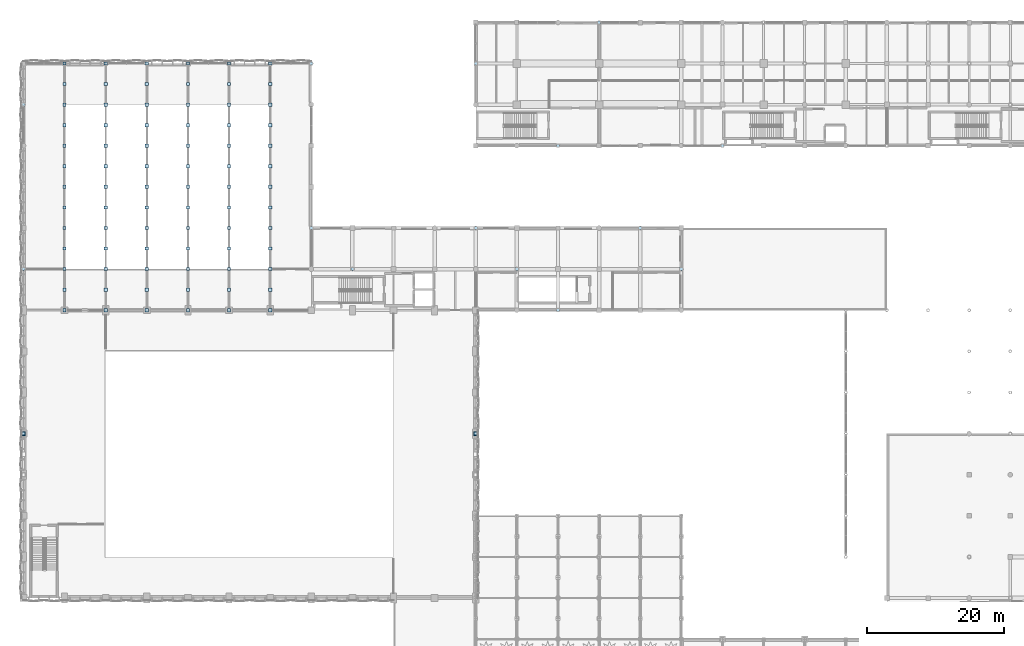
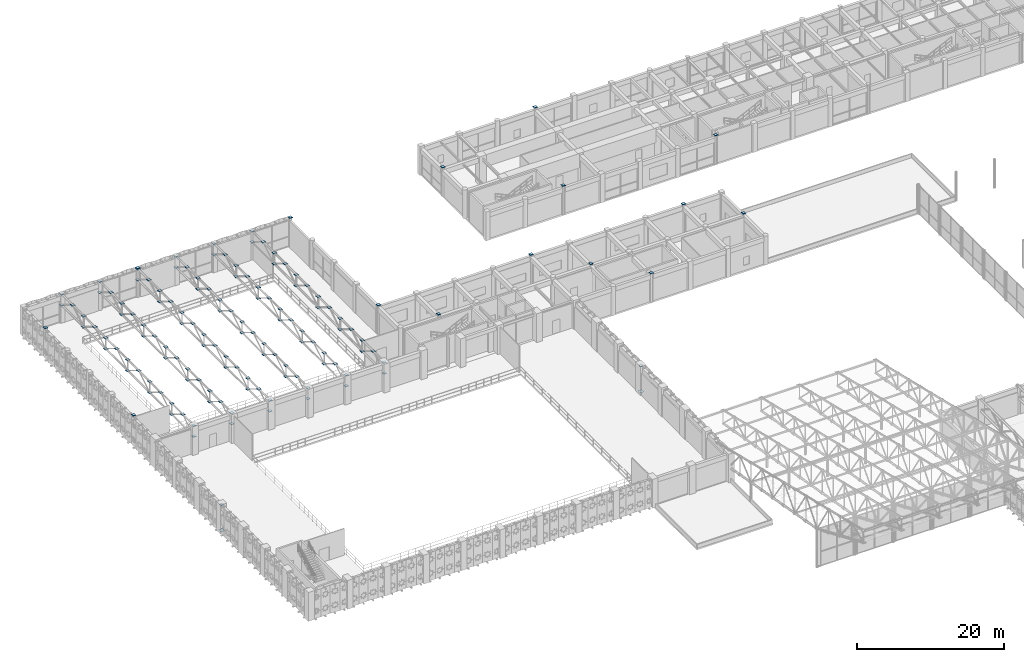
# One storey, part 93 of 123: 139 plates.
"""IFC4 building model written with IfcOpenShell, lengths in metres."""

from ifc_helpers import new_model, si_unit, direction, frame, origin, origin_2d, place, context, subcontext, project, spatial, rectangle, extrude, material, layer, layer_set, type_object, element, save


model = new_model("IFC4")

# Units and contexts
model_context = context("Model", 3, precision=1e-05, world=origin(), true_north=direction((0.0, 1.0)))
body_context = subcontext(model_context, "Body", "Model", "MODEL_VIEW")
ifc_project = project(units=[si_unit("LENGTHUNIT", "METRE"), si_unit("AREAUNIT", "SQUARE_METRE"), si_unit("VOLUMEUNIT", "CUBIC_METRE"), si_unit("PLANEANGLEUNIT", "RADIAN"), si_unit("MASSUNIT", "GRAM", prefix="KILO"), si_unit("THERMODYNAMICTEMPERATUREUNIT", "KELVIN"), si_unit("POWERUNIT", "WATT")], contexts=[model_context])

# Site, building, storey
site_placement = place(None, origin())
site = spatial("IfcSite", under=ifc_project, at=site_placement, CompositionType="ELEMENT")
building_placement = place(site_placement, origin())
building = spatial("IfcBuilding", under=site, at=building_placement, Name="Phaisarnlok Congress Hotel", CompositionType="ELEMENT")
storey_placement = place(building_placement, frame((0.0, 0.0, 15.0)))
storey = spatial("IfcBuildingStorey", under=building, at=storey_placement, Name="L03", CompositionType="ELEMENT", Elevation=15.0)

# Plates
ifc_material = material(Name="Steel S355", Category="steel")
ifc_layer_1 = layer(ifc_material, 0.0400390625, Name="Steel S355")
ifc_layer_set_1 = layer_set([ifc_layer_1], Name="Steel S355")
plate_type_1 = type_object("IfcPlateType", Name="PLT-CAP-480", PredefinedType="SHEET", material=ifc_layer_set_1)
for number, where, z_axis, x_axis, name in (
    (1, (0.0, 90.0, 4.780029296875), (0.0, 0.0, 1.0), (1.0, 0.0, 0.0), "Steel column cap/base plate NP-04 at NP-COLT-COL-L03-000-090"),
    (2, (0.0, 114.0, 4.780029296875), (0.0, 0.0, 1.0), (1.0, 0.0, 0.0), "Steel column cap/base plate NP-04 at NP-COLT-COL-L03-000-114"),
    (3, (18.0, 120.0, 4.780029296875), (0.0, 0.0, 1.0), (1.0, 0.0, 0.0), "Steel column cap/base plate NP-04 at NP-COLT-COL-L03-018-120"),
    (4, (42.0, 96.0, 4.780029296875), (0.0, 0.0, 1.0), (1.0, 0.0, 0.0), "Steel column cap/base plate NP-04 at NP-COLT-COL-L03-042-096"),
    (5, (42.0, 120.0, 4.780029296875), (0.0, 0.0, 1.0), (1.0, 0.0, 0.0), "Steel column cap/base plate NP-04 at NP-COLT-COL-L03-042-120"),
    (6, (48.0, 90.0, 4.780029296875), (0.0, 0.0, 1.0), (1.0, 0.0, 0.0), "Steel column cap/base plate NP-04 at NP-COLT-COL-L03-048-090"),
    (7, (66.0, 96.0, 4.780029296875), (0.0, 0.0, 1.0), (1.0, 0.0, 0.0), "Steel column cap/base plate NP-04 at NP-COLT-COL-L03-066-096"),
    (8, (66.0, 120.0, 4.780029296875), (0.0, 0.0, 1.0), (1.0, 0.0, 0.0), "Steel column cap/base plate NP-04 at NP-COLT-COL-L03-066-120"),
    (9, (72.0, 90.0, 4.780029296875), (0.0, 0.0, 1.0), (1.0, 0.0, 0.0), "Steel column cap/base plate NP-04 at NP-COLT-COL-L03-072-090"),
    (10, (78.0, 84.0, 4.780029296875), (0.0, 0.0, 1.0), (1.0, 0.0, 0.0), "Steel column cap/base plate NP-04 at NP-COLT-COL-L03-078-084"),
    (11, (78.0, 108.0, 4.780029296875), (0.0, 0.0, 1.0), (1.0, 0.0, 0.0), "Steel column cap/base plate NP-04 at NP-COLT-COL-L03-078-108"),
    (12, (84.0, 126.0, 4.780029296875), (0.0, 0.0, 1.0), (1.0, 0.0, 0.0), "Steel column cap/base plate NP-04 at NP-COLT-COL-L03-084-126"),
    (13, (90.0, 96.0, 4.780029296875), (0.0, 0.0, 1.0), (1.0, 0.0, 0.0), "Steel column cap/base plate NP-04 at NP-COLT-COL-L03-090-096"),
    (14, (96.0, 90.0, 4.780029296875), (0.0, 0.0, 1.0), (1.0, 0.0, 0.0), "Steel column cap/base plate NP-04 at NP-COLT-COL-L03-096-090"),
    (15, (102.0, 108.0, 4.780029296875), (0.0, 0.0, 1.0), (1.0, 0.0, 0.0), "Steel column cap/base plate NP-04 at NP-COLT-COL-L03-102-108"),
):
    element("IfcPlate", number, at=place(storey_placement, frame(where, z_axis=z_axis, x_axis=x_axis)), inside=storey, type_object=plate_type_1, Name=name, PredefinedType="SHEET", context=body_context, shape_type="SweptSolid", body=[
        extrude(rectangle(XDim=0.47998046875, YDim=0.47998046875, at=origin_2d()), origin(), (0.0, 0.0, 1.0), 0.0400390625),
    ])
ifc_layer_2 = layer(ifc_material, 0.01611328125, Name="Steel S355")
ifc_layer_set_2 = layer_set([ifc_layer_2], Name="Steel S355")
plate_type_2 = type_object("IfcPlateType", Name="PLT-GUS-650", PredefinedType="SHEET", material=ifc_layer_set_2)
for number, where, z_axis, x_axis, name in (
    (16, (0.0, 66.0, 0.141845703125), (0.0, 0.0, 1.0), (1.0, 0.0, 0.0), "Steel truss node plate NP-05 at NP-BF-A-L03-B"),
    (17, (66.0, 66.0, 0.141845703125), (0.0, 0.0, 1.0), (1.0, 0.0, 0.0), "Steel truss node plate NP-05 at NP-BF-B-L03-B"),
):
    element("IfcPlate", number, at=place(storey_placement, frame(where, z_axis=z_axis, x_axis=x_axis)), inside=storey, type_object=plate_type_2, Name=name, PredefinedType="SHEET", context=body_context, shape_type="SweptSolid", body=[
        extrude(rectangle(XDim=0.64990234375, YDim=0.64990234375, at=origin_2d()), origin(), (0.0, 0.0, 1.0), 0.01611328125),
    ])
ifc_layer_3 = layer(ifc_material, 0.02001953125, Name="Steel S355")
ifc_layer_set_3 = layer_set([ifc_layer_3], Name="Steel S355")
plate_type_3 = type_object("IfcPlateType", Name="PLT-NODE-480", PredefinedType="SHEET", material=ifc_layer_set_3)
for number, where, z_axis, x_axis, name in (
    (18, (6.0, 84.0, 4.619873046875), (0.0, 0.0, 1.0), (1.0, 0.0, 0.0), "Steel truss node plate NP-03 at NP-V3T-6-0"),
    (19, (6.0, 84.0, 2.7900390625), (0.0, 0.0, 1.0), (1.0, 0.0, 0.0), "Steel truss node plate NP-03 at NP-V3B-6-0"),
    (20, (6.0, 87.0, 4.619873046875), (0.0, 0.0, 1.0), (1.0, 0.0, 0.0), "Steel truss node plate NP-03 at NP-V3M-6-0"),
    (21, (6.0, 90.0, 4.619873046875), (0.0, 0.0, 1.0), (1.0, 0.0, 0.0), "Steel truss node plate NP-03 at NP-V3T-6-1"),
    (22, (6.0, 90.0, 2.7900390625), (0.0, 0.0, 1.0), (1.0, 0.0, 0.0), "Steel truss node plate NP-03 at NP-V3B-6-1"),
    (23, (6.0, 93.0, 4.619873046875), (0.0, 0.0, 1.0), (1.0, 0.0, 0.0), "Steel truss node plate NP-03 at NP-V3M-6-1"),
    (24, (6.0, 96.0, 4.619873046875), (0.0, 0.0, 1.0), (1.0, 0.0, 0.0), "Steel truss node plate NP-03 at NP-V3T-6-2"),
    (25, (6.0, 96.0, 2.7900390625), (0.0, 0.0, 1.0), (1.0, 0.0, 0.0), "Steel truss node plate NP-03 at NP-V3B-6-2"),
    (26, (6.0, 99.0, 4.619873046875), (0.0, 0.0, 1.0), (1.0, 0.0, 0.0), "Steel truss node plate NP-03 at NP-V3M-6-2"),
    (27, (6.0, 102.0, 4.619873046875), (0.0, 0.0, 1.0), (1.0, 0.0, 0.0), "Steel truss node plate NP-03 at NP-V3T-6-3"),
    (28, (6.0, 102.0, 2.7900390625), (0.0, 0.0, 1.0), (1.0, 0.0, 0.0), "Steel truss node plate NP-03 at NP-V3B-6-3"),
    (29, (6.0, 105.0, 4.619873046875), (0.0, 0.0, 1.0), (1.0, 0.0, 0.0), "Steel truss node plate NP-03 at NP-V3M-6-3"),
    (30, (6.0, 108.0, 4.619873046875), (0.0, 0.0, 1.0), (1.0, 0.0, 0.0), "Steel truss node plate NP-03 at NP-V3T-6-4"),
    (31, (6.0, 108.0, 2.7900390625), (0.0, 0.0, 1.0), (1.0, 0.0, 0.0), "Steel truss node plate NP-03 at NP-V3B-6-4"),
    (32, (6.0, 111.0, 4.619873046875), (0.0, 0.0, 1.0), (1.0, 0.0, 0.0), "Steel truss node plate NP-03 at NP-V3M-6-4"),
    (33, (6.0, 114.0, 4.619873046875), (0.0, 0.0, 1.0), (1.0, 0.0, 0.0), "Steel truss node plate NP-03 at NP-V3T-6-5"),
    (34, (6.0, 114.0, 2.7900390625), (0.0, 0.0, 1.0), (1.0, 0.0, 0.0), "Steel truss node plate NP-03 at NP-V3B-6-5"),
    (35, (6.0, 117.0, 4.619873046875), (0.0, 0.0, 1.0), (1.0, 0.0, 0.0), "Steel truss node plate NP-03 at NP-V3M-6-5"),
    (36, (6.0, 120.0, 4.619873046875), (0.0, 0.0, 1.0), (1.0, 0.0, 0.0), "Steel truss node plate NP-03 at NP-V3T-6-6"),
    (37, (6.0, 120.0, 2.7900390625), (0.0, 0.0, 1.0), (1.0, 0.0, 0.0), "Steel truss node plate NP-03 at NP-V3B-6-6"),
    (38, (12.0, 84.0, 4.619873046875), (0.0, 0.0, 1.0), (1.0, 0.0, 0.0), "Steel truss node plate NP-03 at NP-V3T-12-0"),
    (39, (12.0, 84.0, 2.7900390625), (0.0, 0.0, 1.0), (1.0, 0.0, 0.0), "Steel truss node plate NP-03 at NP-V3B-12-0"),
    (40, (12.0, 87.0, 4.619873046875), (0.0, 0.0, 1.0), (1.0, 0.0, 0.0), "Steel truss node plate NP-03 at NP-V3M-12-0"),
    (41, (12.0, 90.0, 4.619873046875), (0.0, 0.0, 1.0), (1.0, 0.0, 0.0), "Steel truss node plate NP-03 at NP-V3T-12-1"),
    (42, (12.0, 90.0, 2.7900390625), (0.0, 0.0, 1.0), (1.0, 0.0, 0.0), "Steel truss node plate NP-03 at NP-V3B-12-1"),
    (43, (12.0, 93.0, 4.619873046875), (0.0, 0.0, 1.0), (1.0, 0.0, 0.0), "Steel truss node plate NP-03 at NP-V3M-12-1"),
    (44, (12.0, 96.0, 4.619873046875), (0.0, 0.0, 1.0), (1.0, 0.0, 0.0), "Steel truss node plate NP-03 at NP-V3T-12-2"),
    (45, (12.0, 96.0, 2.7900390625), (0.0, 0.0, 1.0), (1.0, 0.0, 0.0), "Steel truss node plate NP-03 at NP-V3B-12-2"),
    (46, (12.0, 99.0, 4.619873046875), (0.0, 0.0, 1.0), (1.0, 0.0, 0.0), "Steel truss node plate NP-03 at NP-V3M-12-2"),
    (47, (12.0, 102.0, 4.619873046875), (0.0, 0.0, 1.0), (1.0, 0.0, 0.0), "Steel truss node plate NP-03 at NP-V3T-12-3"),
    (48, (12.0, 102.0, 2.7900390625), (0.0, 0.0, 1.0), (1.0, 0.0, 0.0), "Steel truss node plate NP-03 at NP-V3B-12-3"),
    (49, (12.0, 105.0, 4.619873046875), (0.0, 0.0, 1.0), (1.0, 0.0, 0.0), "Steel truss node plate NP-03 at NP-V3M-12-3"),
    (50, (12.0, 108.0, 4.619873046875), (0.0, 0.0, 1.0), (1.0, 0.0, 0.0), "Steel truss node plate NP-03 at NP-V3T-12-4"),
    (51, (12.0, 108.0, 2.7900390625), (0.0, 0.0, 1.0), (1.0, 0.0, 0.0), "Steel truss node plate NP-03 at NP-V3B-12-4"),
    (52, (12.0, 111.0, 4.619873046875), (0.0, 0.0, 1.0), (1.0, 0.0, 0.0), "Steel truss node plate NP-03 at NP-V3M-12-4"),
    (53, (12.0, 114.0, 4.619873046875), (0.0, 0.0, 1.0), (1.0, 0.0, 0.0), "Steel truss node plate NP-03 at NP-V3T-12-5"),
    (54, (12.0, 114.0, 2.7900390625), (0.0, 0.0, 1.0), (1.0, 0.0, 0.0), "Steel truss node plate NP-03 at NP-V3B-12-5"),
    (55, (12.0, 117.0, 4.619873046875), (0.0, 0.0, 1.0), (1.0, 0.0, 0.0), "Steel truss node plate NP-03 at NP-V3M-12-5"),
    (56, (12.0, 120.0, 4.619873046875), (0.0, 0.0, 1.0), (1.0, 0.0, 0.0), "Steel truss node plate NP-03 at NP-V3T-12-6"),
    (57, (12.0, 120.0, 2.7900390625), (0.0, 0.0, 1.0), (1.0, 0.0, 0.0), "Steel truss node plate NP-03 at NP-V3B-12-6"),
    (58, (18.0, 84.0, 4.619873046875), (0.0, 0.0, 1.0), (1.0, 0.0, 0.0), "Steel truss node plate NP-03 at NP-V3T-18-0"),
    (59, (18.0, 84.0, 2.7900390625), (0.0, 0.0, 1.0), (1.0, 0.0, 0.0), "Steel truss node plate NP-03 at NP-V3B-18-0"),
    (60, (18.0, 87.0, 4.619873046875), (0.0, 0.0, 1.0), (1.0, 0.0, 0.0), "Steel truss node plate NP-03 at NP-V3M-18-0"),
    (61, (18.0, 90.0, 4.619873046875), (0.0, 0.0, 1.0), (1.0, 0.0, 0.0), "Steel truss node plate NP-03 at NP-V3T-18-1"),
    (62, (18.0, 90.0, 2.7900390625), (0.0, 0.0, 1.0), (1.0, 0.0, 0.0), "Steel truss node plate NP-03 at NP-V3B-18-1"),
    (63, (18.0, 93.0, 4.619873046875), (0.0, 0.0, 1.0), (1.0, 0.0, 0.0), "Steel truss node plate NP-03 at NP-V3M-18-1"),
    (64, (18.0, 96.0, 4.619873046875), (0.0, 0.0, 1.0), (1.0, 0.0, 0.0), "Steel truss node plate NP-03 at NP-V3T-18-2"),
    (65, (18.0, 96.0, 2.7900390625), (0.0, 0.0, 1.0), (1.0, 0.0, 0.0), "Steel truss node plate NP-03 at NP-V3B-18-2"),
    (66, (18.0, 99.0, 4.619873046875), (0.0, 0.0, 1.0), (1.0, 0.0, 0.0), "Steel truss node plate NP-03 at NP-V3M-18-2"),
    (67, (18.0, 102.0, 4.619873046875), (0.0, 0.0, 1.0), (1.0, 0.0, 0.0), "Steel truss node plate NP-03 at NP-V3T-18-3"),
    (68, (18.0, 102.0, 2.7900390625), (0.0, 0.0, 1.0), (1.0, 0.0, 0.0), "Steel truss node plate NP-03 at NP-V3B-18-3"),
    (69, (18.0, 105.0, 4.619873046875), (0.0, 0.0, 1.0), (1.0, 0.0, 0.0), "Steel truss node plate NP-03 at NP-V3M-18-3"),
    (70, (18.0, 108.0, 4.619873046875), (0.0, 0.0, 1.0), (1.0, 0.0, 0.0), "Steel truss node plate NP-03 at NP-V3T-18-4"),
    (71, (18.0, 108.0, 2.7900390625), (0.0, 0.0, 1.0), (1.0, 0.0, 0.0), "Steel truss node plate NP-03 at NP-V3B-18-4"),
    (72, (18.0, 111.0, 4.619873046875), (0.0, 0.0, 1.0), (1.0, 0.0, 0.0), "Steel truss node plate NP-03 at NP-V3M-18-4"),
    (73, (18.0, 114.0, 4.619873046875), (0.0, 0.0, 1.0), (1.0, 0.0, 0.0), "Steel truss node plate NP-03 at NP-V3T-18-5"),
    (74, (18.0, 114.0, 2.7900390625), (0.0, 0.0, 1.0), (1.0, 0.0, 0.0), "Steel truss node plate NP-03 at NP-V3B-18-5"),
    (75, (18.0, 117.0, 4.619873046875), (0.0, 0.0, 1.0), (1.0, 0.0, 0.0), "Steel truss node plate NP-03 at NP-V3M-18-5"),
    (76, (18.0, 120.0, 4.619873046875), (0.0, 0.0, 1.0), (1.0, 0.0, 0.0), "Steel truss node plate NP-03 at NP-V3T-18-6"),
    (77, (18.0, 120.0, 2.7900390625), (0.0, 0.0, 1.0), (1.0, 0.0, 0.0), "Steel truss node plate NP-03 at NP-V3B-18-6"),
    (78, (24.0, 84.0, 4.619873046875), (0.0, 0.0, 1.0), (1.0, 0.0, 0.0), "Steel truss node plate NP-03 at NP-V3T-24-0"),
    (79, (24.0, 84.0, 2.7900390625), (0.0, 0.0, 1.0), (1.0, 0.0, 0.0), "Steel truss node plate NP-03 at NP-V3B-24-0"),
    (80, (24.0, 87.0, 4.619873046875), (0.0, 0.0, 1.0), (1.0, 0.0, 0.0), "Steel truss node plate NP-03 at NP-V3M-24-0"),
    (81, (24.0, 90.0, 4.619873046875), (0.0, 0.0, 1.0), (1.0, 0.0, 0.0), "Steel truss node plate NP-03 at NP-V3T-24-1"),
    (82, (24.0, 90.0, 2.7900390625), (0.0, 0.0, 1.0), (1.0, 0.0, 0.0), "Steel truss node plate NP-03 at NP-V3B-24-1"),
    (83, (24.0, 93.0, 4.619873046875), (0.0, 0.0, 1.0), (1.0, 0.0, 0.0), "Steel truss node plate NP-03 at NP-V3M-24-1"),
    (84, (24.0, 96.0, 4.619873046875), (0.0, 0.0, 1.0), (1.0, 0.0, 0.0), "Steel truss node plate NP-03 at NP-V3T-24-2"),
    (85, (24.0, 96.0, 2.7900390625), (0.0, 0.0, 1.0), (1.0, 0.0, 0.0), "Steel truss node plate NP-03 at NP-V3B-24-2"),
    (86, (24.0, 99.0, 4.619873046875), (0.0, 0.0, 1.0), (1.0, 0.0, 0.0), "Steel truss node plate NP-03 at NP-V3M-24-2"),
    (87, (24.0, 102.0, 4.619873046875), (0.0, 0.0, 1.0), (1.0, 0.0, 0.0), "Steel truss node plate NP-03 at NP-V3T-24-3"),
    (88, (24.0, 102.0, 2.7900390625), (0.0, 0.0, 1.0), (1.0, 0.0, 0.0), "Steel truss node plate NP-03 at NP-V3B-24-3"),
    (89, (24.0, 105.0, 4.619873046875), (0.0, 0.0, 1.0), (1.0, 0.0, 0.0), "Steel truss node plate NP-03 at NP-V3M-24-3"),
    (90, (24.0, 108.0, 4.619873046875), (0.0, 0.0, 1.0), (1.0, 0.0, 0.0), "Steel truss node plate NP-03 at NP-V3T-24-4"),
    (91, (24.0, 108.0, 2.7900390625), (0.0, 0.0, 1.0), (1.0, 0.0, 0.0), "Steel truss node plate NP-03 at NP-V3B-24-4"),
    (92, (24.0, 111.0, 4.619873046875), (0.0, 0.0, 1.0), (1.0, 0.0, 0.0), "Steel truss node plate NP-03 at NP-V3M-24-4"),
    (93, (24.0, 114.0, 4.619873046875), (0.0, 0.0, 1.0), (1.0, 0.0, 0.0), "Steel truss node plate NP-03 at NP-V3T-24-5"),
    (94, (24.0, 114.0, 2.7900390625), (0.0, 0.0, 1.0), (1.0, 0.0, 0.0), "Steel truss node plate NP-03 at NP-V3B-24-5"),
    (95, (24.0, 117.0, 4.619873046875), (0.0, 0.0, 1.0), (1.0, 0.0, 0.0), "Steel truss node plate NP-03 at NP-V3M-24-5"),
    (96, (24.0, 120.0, 4.619873046875), (0.0, 0.0, 1.0), (1.0, 0.0, 0.0), "Steel truss node plate NP-03 at NP-V3T-24-6"),
    (97, (24.0, 120.0, 2.7900390625), (0.0, 0.0, 1.0), (1.0, 0.0, 0.0), "Steel truss node plate NP-03 at NP-V3B-24-6"),
    (98, (30.0, 84.0, 4.619873046875), (0.0, 0.0, 1.0), (1.0, 0.0, 0.0), "Steel truss node plate NP-03 at NP-V3T-30-0"),
    (99, (30.0, 84.0, 2.7900390625), (0.0, 0.0, 1.0), (1.0, 0.0, 0.0), "Steel truss node plate NP-03 at NP-V3B-30-0"),
    (100, (30.0, 87.0, 4.619873046875), (0.0, 0.0, 1.0), (1.0, 0.0, 0.0), "Steel truss node plate NP-03 at NP-V3M-30-0"),
    (101, (30.0, 90.0, 4.619873046875), (0.0, 0.0, 1.0), (1.0, 0.0, 0.0), "Steel truss node plate NP-03 at NP-V3T-30-1"),
    (102, (30.0, 90.0, 2.7900390625), (0.0, 0.0, 1.0), (1.0, 0.0, 0.0), "Steel truss node plate NP-03 at NP-V3B-30-1"),
    (103, (30.0, 93.0, 4.619873046875), (0.0, 0.0, 1.0), (1.0, 0.0, 0.0), "Steel truss node plate NP-03 at NP-V3M-30-1"),
    (104, (30.0, 96.0, 4.619873046875), (0.0, 0.0, 1.0), (1.0, 0.0, 0.0), "Steel truss node plate NP-03 at NP-V3T-30-2"),
    (105, (30.0, 96.0, 2.7900390625), (0.0, 0.0, 1.0), (1.0, 0.0, 0.0), "Steel truss node plate NP-03 at NP-V3B-30-2"),
    (106, (30.0, 99.0, 4.619873046875), (0.0, 0.0, 1.0), (1.0, 0.0, 0.0), "Steel truss node plate NP-03 at NP-V3M-30-2"),
    (107, (30.0, 102.0, 4.619873046875), (0.0, 0.0, 1.0), (1.0, 0.0, 0.0), "Steel truss node plate NP-03 at NP-V3T-30-3"),
    (108, (30.0, 102.0, 2.7900390625), (0.0, 0.0, 1.0), (1.0, 0.0, 0.0), "Steel truss node plate NP-03 at NP-V3B-30-3"),
    (109, (30.0, 105.0, 4.619873046875), (0.0, 0.0, 1.0), (1.0, 0.0, 0.0), "Steel truss node plate NP-03 at NP-V3M-30-3"),
    (110, (30.0, 108.0, 4.619873046875), (0.0, 0.0, 1.0), (1.0, 0.0, 0.0), "Steel truss node plate NP-03 at NP-V3T-30-4"),
    (111, (30.0, 108.0, 2.7900390625), (0.0, 0.0, 1.0), (1.0, 0.0, 0.0), "Steel truss node plate NP-03 at NP-V3B-30-4"),
    (112, (30.0, 111.0, 4.619873046875), (0.0, 0.0, 1.0), (1.0, 0.0, 0.0), "Steel truss node plate NP-03 at NP-V3M-30-4"),
    (113, (30.0, 114.0, 4.619873046875), (0.0, 0.0, 1.0), (1.0, 0.0, 0.0), "Steel truss node plate NP-03 at NP-V3T-30-5"),
    (114, (30.0, 114.0, 2.7900390625), (0.0, 0.0, 1.0), (1.0, 0.0, 0.0), "Steel truss node plate NP-03 at NP-V3B-30-5"),
    (115, (30.0, 117.0, 4.619873046875), (0.0, 0.0, 1.0), (1.0, 0.0, 0.0), "Steel truss node plate NP-03 at NP-V3M-30-5"),
    (116, (30.0, 120.0, 4.619873046875), (0.0, 0.0, 1.0), (1.0, 0.0, 0.0), "Steel truss node plate NP-03 at NP-V3T-30-6"),
    (117, (30.0, 120.0, 2.7900390625), (0.0, 0.0, 1.0), (1.0, 0.0, 0.0), "Steel truss node plate NP-03 at NP-V3B-30-6"),
    (118, (36.0, 84.0, 4.619873046875), (0.0, 0.0, 1.0), (1.0, 0.0, 0.0), "Steel truss node plate NP-03 at NP-V3T-36-0"),
    (119, (36.0, 84.0, 2.7900390625), (0.0, 0.0, 1.0), (1.0, 0.0, 0.0), "Steel truss node plate NP-03 at NP-V3B-36-0"),
    (120, (36.0, 87.0, 4.619873046875), (0.0, 0.0, 1.0), (1.0, 0.0, 0.0), "Steel truss node plate NP-03 at NP-V3M-36-0"),
    (121, (36.0, 90.0, 4.619873046875), (0.0, 0.0, 1.0), (1.0, 0.0, 0.0), "Steel truss node plate NP-03 at NP-V3T-36-1"),
    (122, (36.0, 90.0, 2.7900390625), (0.0, 0.0, 1.0), (1.0, 0.0, 0.0), "Steel truss node plate NP-03 at NP-V3B-36-1"),
    (123, (36.0, 93.0, 4.619873046875), (0.0, 0.0, 1.0), (1.0, 0.0, 0.0), "Steel truss node plate NP-03 at NP-V3M-36-1"),
    (124, (36.0, 96.0, 4.619873046875), (0.0, 0.0, 1.0), (1.0, 0.0, 0.0), "Steel truss node plate NP-03 at NP-V3T-36-2"),
    (125, (36.0, 96.0, 2.7900390625), (0.0, 0.0, 1.0), (1.0, 0.0, 0.0), "Steel truss node plate NP-03 at NP-V3B-36-2"),
    (126, (36.0, 99.0, 4.619873046875), (0.0, 0.0, 1.0), (1.0, 0.0, 0.0), "Steel truss node plate NP-03 at NP-V3M-36-2"),
    (127, (36.0, 102.0, 4.619873046875), (0.0, 0.0, 1.0), (1.0, 0.0, 0.0), "Steel truss node plate NP-03 at NP-V3T-36-3"),
    (128, (36.0, 102.0, 2.7900390625), (0.0, 0.0, 1.0), (1.0, 0.0, 0.0), "Steel truss node plate NP-03 at NP-V3B-36-3"),
    (129, (36.0, 105.0, 4.619873046875), (0.0, 0.0, 1.0), (1.0, 0.0, 0.0), "Steel truss node plate NP-03 at NP-V3M-36-3"),
    (130, (36.0, 108.0, 4.619873046875), (0.0, 0.0, 1.0), (1.0, 0.0, 0.0), "Steel truss node plate NP-03 at NP-V3T-36-4"),
    (131, (36.0, 108.0, 2.7900390625), (0.0, 0.0, 1.0), (1.0, 0.0, 0.0), "Steel truss node plate NP-03 at NP-V3B-36-4"),
    (132, (36.0, 111.0, 4.619873046875), (0.0, 0.0, 1.0), (1.0, 0.0, 0.0), "Steel truss node plate NP-03 at NP-V3M-36-4"),
    (133, (36.0, 114.0, 4.619873046875), (0.0, 0.0, 1.0), (1.0, 0.0, 0.0), "Steel truss node plate NP-03 at NP-V3T-36-5"),
    (134, (36.0, 114.0, 2.7900390625), (0.0, 0.0, 1.0), (1.0, 0.0, 0.0), "Steel truss node plate NP-03 at NP-V3B-36-5"),
    (135, (36.0, 117.0, 4.619873046875), (0.0, 0.0, 1.0), (1.0, 0.0, 0.0), "Steel truss node plate NP-03 at NP-V3M-36-5"),
    (136, (36.0, 120.0, 4.619873046875), (0.0, 0.0, 1.0), (1.0, 0.0, 0.0), "Steel truss node plate NP-03 at NP-V3T-36-6"),
    (137, (36.0, 120.0, 2.7900390625), (0.0, 0.0, 1.0), (1.0, 0.0, 0.0), "Steel truss node plate NP-03 at NP-V3B-36-6"),
    (138, (0.0, 66.0, 4.43994140625), (0.0, 0.0, 1.0), (1.0, 0.0, 0.0), "Steel truss node plate NP-03 at NP-BF-A-L03-T2"),
    (139, (66.0, 66.0, 4.43994140625), (0.0, 0.0, 1.0), (1.0, 0.0, 0.0), "Steel truss node plate NP-03 at NP-BF-B-L03-T2"),
):
    element("IfcPlate", number, at=place(storey_placement, frame(where, z_axis=z_axis, x_axis=x_axis)), inside=storey, type_object=plate_type_3, Name=name, PredefinedType="SHEET", context=body_context, shape_type="SweptSolid", body=[
        extrude(rectangle(XDim=0.47998046875, YDim=0.47998046875, at=origin_2d()), origin(), (0.0, 0.0, 1.0), 0.02001953125),
    ])

save(model, "model.ifc")
